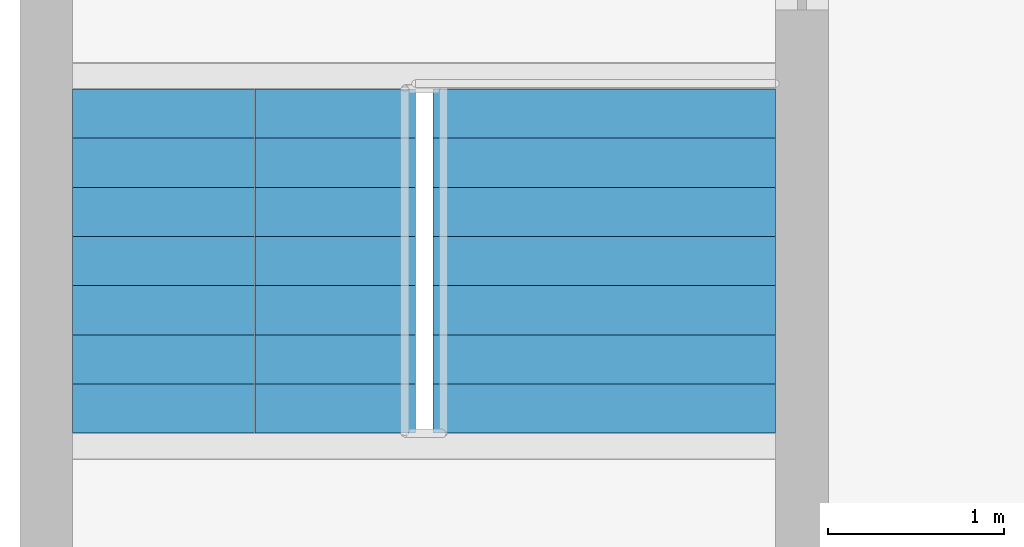
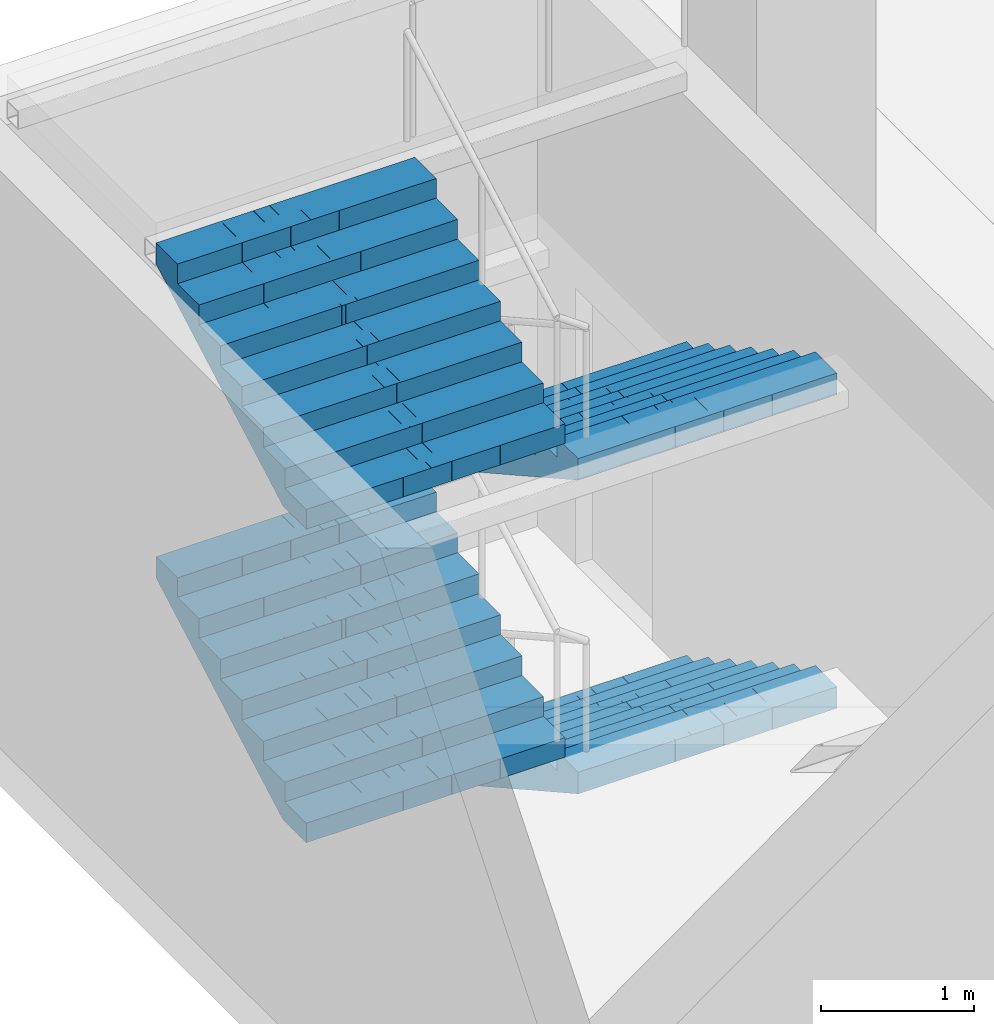
# One storey, part 14 of 20: 4 stair flights, 1 element without a shape of its own.
"""IFC4 building model written with IfcOpenShell, lengths in metres."""

from ifc_helpers import new_model, si_unit, direction, frame, origin, place, context, subcontext, project, spatial, polyline, outline, extrude, material, type_object, element, aggregate, save


model = new_model("IFC4")

# Units and contexts
model_context = context("Model", 3, precision=1e-05, world=origin(), true_north=direction((0.0, 1.0)))
body_context = subcontext(model_context, "Body", "Model", "MODEL_VIEW")
ifc_project = project(units=[si_unit("LENGTHUNIT", "METRE"), si_unit("AREAUNIT", "SQUARE_METRE"), si_unit("VOLUMEUNIT", "CUBIC_METRE"), si_unit("PLANEANGLEUNIT", "RADIAN"), si_unit("MASSUNIT", "GRAM", prefix="KILO")], contexts=[model_context])

# Site, building, storey
site_placement = place(None, origin())
site = spatial("IfcSite", under=ifc_project, at=site_placement, CompositionType="ELEMENT")
building_placement = place(site_placement, origin())
building = spatial("IfcBuilding", under=site, at=building_placement, Name="Mizan Broadcast Tower", CompositionType="ELEMENT")
storey_placement = place(building_placement, frame((0.0, 0.0, -5.0)))
storey = spatial("IfcBuildingStorey", under=building, at=storey_placement, Name="B1", CompositionType="ELEMENT", Elevation=-5.0)

# Stair, stair flights
ifc_material_1 = material(Name="Concrete C40/50", Category="concrete")
stair_type = type_object("IfcStairType", Name="EXIT STAIR", PredefinedType="HALF_TURN_STAIR", material=ifc_material_1)
stair_placement = place(storey_placement, origin())
stair = element("IfcStair", 1, at=stair_placement, inside=storey, type_object=stair_type, Name="Stair F B1", PredefinedType="HALF_TURN_STAIR")
ifc_material_2 = material(Name="Concrete C40/50", Category="concrete")
stair_flight_type = type_object("IfcStairFlightType", Name="EXIT STAIR FLIGHT", PredefinedType="STRAIGHT", material=ifc_material_2)
stair_flight_1_placement = place(storey_placement, frame((-44.875, 39.949951171875, 0.0), z_axis=(0.0, 0.0, 1.0), x_axis=(0.0, -1.0, 0.0)))
stair_flight_1 = element("IfcStairFlight", 2, at=stair_flight_1_placement, type_object=stair_flight_type, Name="F flight 1", NumberOfRisers=8, NumberOfTreads=7, PredefinedType="STRAIGHT", RiserHeight=0.15625, TreadLength=0.28, context=body_context, shape_type="SweptSolid", body=[
    extrude(outline(polyline([(0.0, 0.0), (0.0, 0.15625), (0.280029296875, 0.15625), (0.280029296875, 0.3125), (0.56005859375, 0.3125), (0.56005859375, 0.46875), (0.840087890625, 0.46875), (0.840087890625, 0.625), (1.1201171875, 0.625), (1.1201171875, 0.78125), (1.39990234375, 0.78125), (1.39990234375, 0.9375), (1.679931640625, 0.9375), (1.679931640625, 1.09375), (1.9599609375, 1.09375), (1.9599609375, 1.25), (1.9599609375, 0.922119140625), (0.3076171875, 0.0), (0.0, 0.0)])), frame((0.0, 0.97509765625, 0.0), z_axis=(0.0, -1.0, 0.0), x_axis=(1.0, 0.0, 0.0)), (0.0, 0.0, 1.0), 0.4873046875),
    extrude(outline(polyline([(0.0, 0.0), (0.0, 0.15625), (0.280029296875, 0.15625), (0.280029296875, 0.3125), (0.56005859375, 0.3125), (0.56005859375, 0.46875), (0.840087890625, 0.46875), (0.840087890625, 0.625), (1.1201171875, 0.625), (1.1201171875, 0.78125), (1.39990234375, 0.78125), (1.39990234375, 0.9375), (1.679931640625, 0.9375), (1.679931640625, 1.09375), (1.9599609375, 1.09375), (1.9599609375, 1.25), (1.9599609375, 0.922119140625), (0.3076171875, 0.0), (0.0, 0.0)])), frame((0.0, 0.4873046875, 0.0), z_axis=(0.0, -1.0, 0.0), x_axis=(1.0, 0.0, 0.0)), (0.0, 0.0, 1.0), 0.2431640625),
    extrude(outline(polyline([(0.0, 0.0), (0.0, 0.15625), (0.280029296875, 0.15625), (0.280029296875, 0.3125), (0.56005859375, 0.3125), (0.56005859375, 0.46875), (0.840087890625, 0.46875), (0.840087890625, 0.625), (1.1201171875, 0.625), (1.1201171875, 0.78125), (1.39990234375, 0.78125), (1.39990234375, 0.9375), (1.679931640625, 0.9375), (1.679931640625, 1.09375), (1.9599609375, 1.09375), (1.9599609375, 1.25), (1.9599609375, 0.922119140625), (0.3076171875, 0.0), (0.0, 0.0)])), frame((0.0, 0.24365234375, 0.0), z_axis=(0.0, -1.0, 0.0), x_axis=(1.0, 0.0, 0.0)), (0.0, 0.0, 1.0), 0.121337890625),
    extrude(outline(polyline([(0.0, 0.0), (0.0, 0.15625), (0.280029296875, 0.15625), (0.280029296875, 0.3125), (0.56005859375, 0.3125), (0.56005859375, 0.46875), (0.840087890625, 0.46875), (0.840087890625, 0.625), (1.1201171875, 0.625), (1.1201171875, 0.78125), (1.39990234375, 0.78125), (1.39990234375, 0.9375), (1.679931640625, 0.9375), (1.679931640625, 1.09375), (1.9599609375, 1.09375), (1.9599609375, 1.25), (1.9599609375, 0.922119140625), (0.3076171875, 0.0), (0.0, 0.0)])), frame((0.0, 0.121826171875, 0.0), z_axis=(0.0, -1.0, 0.0), x_axis=(1.0, 0.0, 0.0)), (0.0, 0.0, 1.0), 0.060546875),
    extrude(outline(polyline([(0.0, 0.0), (0.0, 0.15625), (0.280029296875, 0.15625), (0.280029296875, 0.3125), (0.56005859375, 0.3125), (0.56005859375, 0.46875), (0.840087890625, 0.46875), (0.840087890625, 0.625), (1.1201171875, 0.625), (1.1201171875, 0.78125), (1.39990234375, 0.78125), (1.39990234375, 0.9375), (1.679931640625, 0.9375), (1.679931640625, 1.09375), (1.9599609375, 1.09375), (1.9599609375, 1.25), (1.9599609375, 0.922119140625), (0.3076171875, 0.0), (0.0, 0.0)])), frame((0.0, 0.060791015625, 0.0), z_axis=(0.0, -1.0, 0.0), x_axis=(1.0, 0.0, 0.0)), (0.0, 0.0, 1.0), 0.030029296875),
    extrude(outline(polyline([(0.0, 0.0), (0.0, 0.15625), (0.280029296875, 0.15625), (0.280029296875, 0.3125), (0.56005859375, 0.3125), (0.56005859375, 0.46875), (0.840087890625, 0.46875), (0.840087890625, 0.625), (1.1201171875, 0.625), (1.1201171875, 0.78125), (1.39990234375, 0.78125), (1.39990234375, 0.9375), (1.679931640625, 0.9375), (1.679931640625, 1.09375), (1.9599609375, 1.09375), (1.9599609375, 1.25), (1.9599609375, 0.922119140625), (0.3076171875, 0.0), (0.0, 0.0)])), frame((0.0, 0.0302734375, 0.0), z_axis=(0.0, -1.0, 0.0), x_axis=(1.0, 0.0, 0.0)), (0.0, 0.0, 1.0), 0.060302734375),
    extrude(outline(polyline([(0.0, 0.0), (0.0, 0.15625), (0.280029296875, 0.15625), (0.280029296875, 0.3125), (0.56005859375, 0.3125), (0.56005859375, 0.46875), (0.840087890625, 0.46875), (0.840087890625, 0.625), (1.1201171875, 0.625), (1.1201171875, 0.78125), (1.39990234375, 0.78125), (1.39990234375, 0.9375), (1.679931640625, 0.9375), (1.679931640625, 1.09375), (1.9599609375, 1.09375), (1.9599609375, 1.25), (1.9599609375, 0.922119140625), (0.3076171875, 0.0), (0.0, 0.0)])), frame((0.0, -0.030517578125, 0.0), z_axis=(0.0, -1.0, 0.0), x_axis=(1.0, 0.0, 0.0)), (0.0, 0.0, 1.0), 0.030029296875),
    extrude(outline(polyline([(0.0, 0.0), (0.0, 0.15625), (0.280029296875, 0.15625), (0.280029296875, 0.3125), (0.56005859375, 0.3125), (0.56005859375, 0.46875), (0.840087890625, 0.46875), (0.840087890625, 0.625), (1.1201171875, 0.625), (1.1201171875, 0.78125), (1.39990234375, 0.78125), (1.39990234375, 0.9375), (1.679931640625, 0.9375), (1.679931640625, 1.09375), (1.9599609375, 1.09375), (1.9599609375, 1.25), (1.9599609375, 0.922119140625), (0.3076171875, 0.0), (0.0, 0.0)])), frame((0.0, -0.06103515625, 0.0), z_axis=(0.0, -1.0, 0.0), x_axis=(1.0, 0.0, 0.0)), (0.0, 0.0, 1.0), 0.060546875),
    extrude(outline(polyline([(0.0, 0.0), (0.0, 0.15625), (0.280029296875, 0.15625), (0.280029296875, 0.3125), (0.56005859375, 0.3125), (0.56005859375, 0.46875), (0.840087890625, 0.46875), (0.840087890625, 0.625), (1.1201171875, 0.625), (1.1201171875, 0.78125), (1.39990234375, 0.78125), (1.39990234375, 0.9375), (1.679931640625, 0.9375), (1.679931640625, 1.09375), (1.9599609375, 1.09375), (1.9599609375, 1.25), (1.9599609375, 0.922119140625), (0.3076171875, 0.0), (0.0, 0.0)])), frame((0.0, -0.1220703125, 0.0), z_axis=(0.0, -1.0, 0.0), x_axis=(1.0, 0.0, 0.0)), (0.0, 0.0, 1.0), 0.121337890625),
    extrude(outline(polyline([(0.0, 0.0), (0.0, 0.15625), (0.280029296875, 0.15625), (0.280029296875, 0.3125), (0.56005859375, 0.3125), (0.56005859375, 0.46875), (0.840087890625, 0.46875), (0.840087890625, 0.625), (1.1201171875, 0.625), (1.1201171875, 0.78125), (1.39990234375, 0.78125), (1.39990234375, 0.9375), (1.679931640625, 0.9375), (1.679931640625, 1.09375), (1.9599609375, 1.09375), (1.9599609375, 1.25), (1.9599609375, 0.922119140625), (0.3076171875, 0.0), (0.0, 0.0)])), frame((0.0, -0.243896484375, 0.0), z_axis=(0.0, -1.0, 0.0), x_axis=(1.0, 0.0, 0.0)), (0.0, 0.0, 1.0), 0.2431640625),
    extrude(outline(polyline([(0.0, 0.0), (0.0, 0.15625), (0.280029296875, 0.15625), (0.280029296875, 0.3125), (0.56005859375, 0.3125), (0.56005859375, 0.46875), (0.840087890625, 0.46875), (0.840087890625, 0.625), (1.1201171875, 0.625), (1.1201171875, 0.78125), (1.39990234375, 0.78125), (1.39990234375, 0.9375), (1.679931640625, 0.9375), (1.679931640625, 1.09375), (1.9599609375, 1.09375), (1.9599609375, 1.25), (1.9599609375, 0.922119140625), (0.3076171875, 0.0), (0.0, 0.0)])), frame((0.0, -0.487548828125, 0.0), z_axis=(0.0, -1.0, 0.0), x_axis=(1.0, 0.0, 0.0)), (0.0, 0.0, 1.0), 0.4873046875),
])
stair_flight_2_placement = place(storey_placement, frame((-46.925048828125, 37.989990234375, 1.25), z_axis=(0.0, 0.0, 1.0), x_axis=(0.0, 1.0, 0.0)))
stair_flight_2 = element("IfcStairFlight", 3, at=stair_flight_2_placement, type_object=stair_flight_type, Name="F flight 2", NumberOfRisers=8, NumberOfTreads=7, PredefinedType="STRAIGHT", RiserHeight=0.15625, TreadLength=0.28, context=body_context, shape_type="SweptSolid", body=[
    extrude(outline(polyline([(0.0, 0.0), (0.0, 0.15625), (0.280029296875, 0.15625), (0.280029296875, 0.3125), (0.56005859375, 0.3125), (0.56005859375, 0.46875), (0.840087890625, 0.46875), (0.840087890625, 0.625), (1.1201171875, 0.625), (1.1201171875, 0.78125), (1.39990234375, 0.78125), (1.39990234375, 0.9375), (1.679931640625, 0.9375), (1.679931640625, 1.09375), (1.9599609375, 1.09375), (1.9599609375, 1.25), (1.9599609375, 0.922119140625), (0.3076171875, 0.0), (0.0, 0.0)])), frame((0.0, 0.97509765625, 0.0), z_axis=(0.0, -1.0, 0.0), x_axis=(1.0, 0.0, 0.0)), (0.0, 0.0, 1.0), 0.4873046875),
    extrude(outline(polyline([(0.0, 0.0), (0.0, 0.15625), (0.280029296875, 0.15625), (0.280029296875, 0.3125), (0.56005859375, 0.3125), (0.56005859375, 0.46875), (0.840087890625, 0.46875), (0.840087890625, 0.625), (1.1201171875, 0.625), (1.1201171875, 0.78125), (1.39990234375, 0.78125), (1.39990234375, 0.9375), (1.679931640625, 0.9375), (1.679931640625, 1.09375), (1.9599609375, 1.09375), (1.9599609375, 1.25), (1.9599609375, 0.922119140625), (0.3076171875, 0.0), (0.0, 0.0)])), frame((0.0, 0.4873046875, 0.0), z_axis=(0.0, -1.0, 0.0), x_axis=(1.0, 0.0, 0.0)), (0.0, 0.0, 1.0), 0.2431640625),
    extrude(outline(polyline([(0.0, 0.0), (0.0, 0.15625), (0.280029296875, 0.15625), (0.280029296875, 0.3125), (0.56005859375, 0.3125), (0.56005859375, 0.46875), (0.840087890625, 0.46875), (0.840087890625, 0.625), (1.1201171875, 0.625), (1.1201171875, 0.78125), (1.39990234375, 0.78125), (1.39990234375, 0.9375), (1.679931640625, 0.9375), (1.679931640625, 1.09375), (1.9599609375, 1.09375), (1.9599609375, 1.25), (1.9599609375, 0.922119140625), (0.3076171875, 0.0), (0.0, 0.0)])), frame((0.0, 0.24365234375, 0.0), z_axis=(0.0, -1.0, 0.0), x_axis=(1.0, 0.0, 0.0)), (0.0, 0.0, 1.0), 0.121337890625),
    extrude(outline(polyline([(0.0, 0.0), (0.0, 0.15625), (0.280029296875, 0.15625), (0.280029296875, 0.3125), (0.56005859375, 0.3125), (0.56005859375, 0.46875), (0.840087890625, 0.46875), (0.840087890625, 0.625), (1.1201171875, 0.625), (1.1201171875, 0.78125), (1.39990234375, 0.78125), (1.39990234375, 0.9375), (1.679931640625, 0.9375), (1.679931640625, 1.09375), (1.9599609375, 1.09375), (1.9599609375, 1.25), (1.9599609375, 0.922119140625), (0.3076171875, 0.0), (0.0, 0.0)])), frame((0.0, 0.121826171875, 0.0), z_axis=(0.0, -1.0, 0.0), x_axis=(1.0, 0.0, 0.0)), (0.0, 0.0, 1.0), 0.060546875),
    extrude(outline(polyline([(0.0, 0.0), (0.0, 0.15625), (0.280029296875, 0.15625), (0.280029296875, 0.3125), (0.56005859375, 0.3125), (0.56005859375, 0.46875), (0.840087890625, 0.46875), (0.840087890625, 0.625), (1.1201171875, 0.625), (1.1201171875, 0.78125), (1.39990234375, 0.78125), (1.39990234375, 0.9375), (1.679931640625, 0.9375), (1.679931640625, 1.09375), (1.9599609375, 1.09375), (1.9599609375, 1.25), (1.9599609375, 0.922119140625), (0.3076171875, 0.0), (0.0, 0.0)])), frame((0.0, 0.060791015625, 0.0), z_axis=(0.0, -1.0, 0.0), x_axis=(1.0, 0.0, 0.0)), (0.0, 0.0, 1.0), 0.030029296875),
    extrude(outline(polyline([(0.0, 0.0), (0.0, 0.15625), (0.280029296875, 0.15625), (0.280029296875, 0.3125), (0.56005859375, 0.3125), (0.56005859375, 0.46875), (0.840087890625, 0.46875), (0.840087890625, 0.625), (1.1201171875, 0.625), (1.1201171875, 0.78125), (1.39990234375, 0.78125), (1.39990234375, 0.9375), (1.679931640625, 0.9375), (1.679931640625, 1.09375), (1.9599609375, 1.09375), (1.9599609375, 1.25), (1.9599609375, 0.922119140625), (0.3076171875, 0.0), (0.0, 0.0)])), frame((0.0, 0.0302734375, 0.0), z_axis=(0.0, -1.0, 0.0), x_axis=(1.0, 0.0, 0.0)), (0.0, 0.0, 1.0), 0.060302734375),
    extrude(outline(polyline([(0.0, 0.0), (0.0, 0.15625), (0.280029296875, 0.15625), (0.280029296875, 0.3125), (0.56005859375, 0.3125), (0.56005859375, 0.46875), (0.840087890625, 0.46875), (0.840087890625, 0.625), (1.1201171875, 0.625), (1.1201171875, 0.78125), (1.39990234375, 0.78125), (1.39990234375, 0.9375), (1.679931640625, 0.9375), (1.679931640625, 1.09375), (1.9599609375, 1.09375), (1.9599609375, 1.25), (1.9599609375, 0.922119140625), (0.3076171875, 0.0), (0.0, 0.0)])), frame((0.0, -0.030517578125, 0.0), z_axis=(0.0, -1.0, 0.0), x_axis=(1.0, 0.0, 0.0)), (0.0, 0.0, 1.0), 0.030029296875),
    extrude(outline(polyline([(0.0, 0.0), (0.0, 0.15625), (0.280029296875, 0.15625), (0.280029296875, 0.3125), (0.56005859375, 0.3125), (0.56005859375, 0.46875), (0.840087890625, 0.46875), (0.840087890625, 0.625), (1.1201171875, 0.625), (1.1201171875, 0.78125), (1.39990234375, 0.78125), (1.39990234375, 0.9375), (1.679931640625, 0.9375), (1.679931640625, 1.09375), (1.9599609375, 1.09375), (1.9599609375, 1.25), (1.9599609375, 0.922119140625), (0.3076171875, 0.0), (0.0, 0.0)])), frame((0.0, -0.06103515625, 0.0), z_axis=(0.0, -1.0, 0.0), x_axis=(1.0, 0.0, 0.0)), (0.0, 0.0, 1.0), 0.060546875),
    extrude(outline(polyline([(0.0, 0.0), (0.0, 0.15625), (0.280029296875, 0.15625), (0.280029296875, 0.3125), (0.56005859375, 0.3125), (0.56005859375, 0.46875), (0.840087890625, 0.46875), (0.840087890625, 0.625), (1.1201171875, 0.625), (1.1201171875, 0.78125), (1.39990234375, 0.78125), (1.39990234375, 0.9375), (1.679931640625, 0.9375), (1.679931640625, 1.09375), (1.9599609375, 1.09375), (1.9599609375, 1.25), (1.9599609375, 0.922119140625), (0.3076171875, 0.0), (0.0, 0.0)])), frame((0.0, -0.1220703125, 0.0), z_axis=(0.0, -1.0, 0.0), x_axis=(1.0, 0.0, 0.0)), (0.0, 0.0, 1.0), 0.121337890625),
    extrude(outline(polyline([(0.0, 0.0), (0.0, 0.15625), (0.280029296875, 0.15625), (0.280029296875, 0.3125), (0.56005859375, 0.3125), (0.56005859375, 0.46875), (0.840087890625, 0.46875), (0.840087890625, 0.625), (1.1201171875, 0.625), (1.1201171875, 0.78125), (1.39990234375, 0.78125), (1.39990234375, 0.9375), (1.679931640625, 0.9375), (1.679931640625, 1.09375), (1.9599609375, 1.09375), (1.9599609375, 1.25), (1.9599609375, 0.922119140625), (0.3076171875, 0.0), (0.0, 0.0)])), frame((0.0, -0.243896484375, 0.0), z_axis=(0.0, -1.0, 0.0), x_axis=(1.0, 0.0, 0.0)), (0.0, 0.0, 1.0), 0.2431640625),
    extrude(outline(polyline([(0.0, 0.0), (0.0, 0.15625), (0.280029296875, 0.15625), (0.280029296875, 0.3125), (0.56005859375, 0.3125), (0.56005859375, 0.46875), (0.840087890625, 0.46875), (0.840087890625, 0.625), (1.1201171875, 0.625), (1.1201171875, 0.78125), (1.39990234375, 0.78125), (1.39990234375, 0.9375), (1.679931640625, 0.9375), (1.679931640625, 1.09375), (1.9599609375, 1.09375), (1.9599609375, 1.25), (1.9599609375, 0.922119140625), (0.3076171875, 0.0), (0.0, 0.0)])), frame((0.0, -0.487548828125, 0.0), z_axis=(0.0, -1.0, 0.0), x_axis=(1.0, 0.0, 0.0)), (0.0, 0.0, 1.0), 0.4873046875),
])
stair_flight_3_placement = place(storey_placement, frame((-44.875, 39.949951171875, 2.5), z_axis=(0.0, 0.0, 1.0), x_axis=(0.0, -1.0, 0.0)))
stair_flight_3 = element("IfcStairFlight", 4, at=stair_flight_3_placement, type_object=stair_flight_type, Name="F flight 3", NumberOfRisers=8, NumberOfTreads=7, PredefinedType="STRAIGHT", RiserHeight=0.15625, TreadLength=0.28, context=body_context, shape_type="SweptSolid", body=[
    extrude(outline(polyline([(0.0, 0.0), (0.0, 0.15625), (0.280029296875, 0.15625), (0.280029296875, 0.3125), (0.56005859375, 0.3125), (0.56005859375, 0.46875), (0.840087890625, 0.46875), (0.840087890625, 0.625), (1.1201171875, 0.625), (1.1201171875, 0.78125), (1.39990234375, 0.78125), (1.39990234375, 0.9375), (1.679931640625, 0.9375), (1.679931640625, 1.09375), (1.9599609375, 1.09375), (1.9599609375, 1.25), (1.9599609375, 0.922119140625), (0.3076171875, 0.0), (0.0, 0.0)])), frame((0.0, 0.97509765625, 0.0), z_axis=(0.0, -1.0, 0.0), x_axis=(1.0, 0.0, 0.0)), (0.0, 0.0, 1.0), 0.4873046875),
    extrude(outline(polyline([(0.0, 0.0), (0.0, 0.15625), (0.280029296875, 0.15625), (0.280029296875, 0.3125), (0.56005859375, 0.3125), (0.56005859375, 0.46875), (0.840087890625, 0.46875), (0.840087890625, 0.625), (1.1201171875, 0.625), (1.1201171875, 0.78125), (1.39990234375, 0.78125), (1.39990234375, 0.9375), (1.679931640625, 0.9375), (1.679931640625, 1.09375), (1.9599609375, 1.09375), (1.9599609375, 1.25), (1.9599609375, 0.922119140625), (0.3076171875, 0.0), (0.0, 0.0)])), frame((0.0, 0.4873046875, 0.0), z_axis=(0.0, -1.0, 0.0), x_axis=(1.0, 0.0, 0.0)), (0.0, 0.0, 1.0), 0.2431640625),
    extrude(outline(polyline([(0.0, 0.0), (0.0, 0.15625), (0.280029296875, 0.15625), (0.280029296875, 0.3125), (0.56005859375, 0.3125), (0.56005859375, 0.46875), (0.840087890625, 0.46875), (0.840087890625, 0.625), (1.1201171875, 0.625), (1.1201171875, 0.78125), (1.39990234375, 0.78125), (1.39990234375, 0.9375), (1.679931640625, 0.9375), (1.679931640625, 1.09375), (1.9599609375, 1.09375), (1.9599609375, 1.25), (1.9599609375, 0.922119140625), (0.3076171875, 0.0), (0.0, 0.0)])), frame((0.0, 0.24365234375, 0.0), z_axis=(0.0, -1.0, 0.0), x_axis=(1.0, 0.0, 0.0)), (0.0, 0.0, 1.0), 0.121337890625),
    extrude(outline(polyline([(0.0, 0.0), (0.0, 0.15625), (0.280029296875, 0.15625), (0.280029296875, 0.3125), (0.56005859375, 0.3125), (0.56005859375, 0.46875), (0.840087890625, 0.46875), (0.840087890625, 0.625), (1.1201171875, 0.625), (1.1201171875, 0.78125), (1.39990234375, 0.78125), (1.39990234375, 0.9375), (1.679931640625, 0.9375), (1.679931640625, 1.09375), (1.9599609375, 1.09375), (1.9599609375, 1.25), (1.9599609375, 0.922119140625), (0.3076171875, 0.0), (0.0, 0.0)])), frame((0.0, 0.121826171875, 0.0), z_axis=(0.0, -1.0, 0.0), x_axis=(1.0, 0.0, 0.0)), (0.0, 0.0, 1.0), 0.060546875),
    extrude(outline(polyline([(0.0, 0.0), (0.0, 0.15625), (0.280029296875, 0.15625), (0.280029296875, 0.3125), (0.56005859375, 0.3125), (0.56005859375, 0.46875), (0.840087890625, 0.46875), (0.840087890625, 0.625), (1.1201171875, 0.625), (1.1201171875, 0.78125), (1.39990234375, 0.78125), (1.39990234375, 0.9375), (1.679931640625, 0.9375), (1.679931640625, 1.09375), (1.9599609375, 1.09375), (1.9599609375, 1.25), (1.9599609375, 0.922119140625), (0.3076171875, 0.0), (0.0, 0.0)])), frame((0.0, 0.060791015625, 0.0), z_axis=(0.0, -1.0, 0.0), x_axis=(1.0, 0.0, 0.0)), (0.0, 0.0, 1.0), 0.030029296875),
    extrude(outline(polyline([(0.0, 0.0), (0.0, 0.15625), (0.280029296875, 0.15625), (0.280029296875, 0.3125), (0.56005859375, 0.3125), (0.56005859375, 0.46875), (0.840087890625, 0.46875), (0.840087890625, 0.625), (1.1201171875, 0.625), (1.1201171875, 0.78125), (1.39990234375, 0.78125), (1.39990234375, 0.9375), (1.679931640625, 0.9375), (1.679931640625, 1.09375), (1.9599609375, 1.09375), (1.9599609375, 1.25), (1.9599609375, 0.922119140625), (0.3076171875, 0.0), (0.0, 0.0)])), frame((0.0, 0.0302734375, 0.0), z_axis=(0.0, -1.0, 0.0), x_axis=(1.0, 0.0, 0.0)), (0.0, 0.0, 1.0), 0.060302734375),
    extrude(outline(polyline([(0.0, 0.0), (0.0, 0.15625), (0.280029296875, 0.15625), (0.280029296875, 0.3125), (0.56005859375, 0.3125), (0.56005859375, 0.46875), (0.840087890625, 0.46875), (0.840087890625, 0.625), (1.1201171875, 0.625), (1.1201171875, 0.78125), (1.39990234375, 0.78125), (1.39990234375, 0.9375), (1.679931640625, 0.9375), (1.679931640625, 1.09375), (1.9599609375, 1.09375), (1.9599609375, 1.25), (1.9599609375, 0.922119140625), (0.3076171875, 0.0), (0.0, 0.0)])), frame((0.0, -0.030517578125, 0.0), z_axis=(0.0, -1.0, 0.0), x_axis=(1.0, 0.0, 0.0)), (0.0, 0.0, 1.0), 0.030029296875),
    extrude(outline(polyline([(0.0, 0.0), (0.0, 0.15625), (0.280029296875, 0.15625), (0.280029296875, 0.3125), (0.56005859375, 0.3125), (0.56005859375, 0.46875), (0.840087890625, 0.46875), (0.840087890625, 0.625), (1.1201171875, 0.625), (1.1201171875, 0.78125), (1.39990234375, 0.78125), (1.39990234375, 0.9375), (1.679931640625, 0.9375), (1.679931640625, 1.09375), (1.9599609375, 1.09375), (1.9599609375, 1.25), (1.9599609375, 0.922119140625), (0.3076171875, 0.0), (0.0, 0.0)])), frame((0.0, -0.06103515625, 0.0), z_axis=(0.0, -1.0, 0.0), x_axis=(1.0, 0.0, 0.0)), (0.0, 0.0, 1.0), 0.060546875),
    extrude(outline(polyline([(0.0, 0.0), (0.0, 0.15625), (0.280029296875, 0.15625), (0.280029296875, 0.3125), (0.56005859375, 0.3125), (0.56005859375, 0.46875), (0.840087890625, 0.46875), (0.840087890625, 0.625), (1.1201171875, 0.625), (1.1201171875, 0.78125), (1.39990234375, 0.78125), (1.39990234375, 0.9375), (1.679931640625, 0.9375), (1.679931640625, 1.09375), (1.9599609375, 1.09375), (1.9599609375, 1.25), (1.9599609375, 0.922119140625), (0.3076171875, 0.0), (0.0, 0.0)])), frame((0.0, -0.1220703125, 0.0), z_axis=(0.0, -1.0, 0.0), x_axis=(1.0, 0.0, 0.0)), (0.0, 0.0, 1.0), 0.121337890625),
    extrude(outline(polyline([(0.0, 0.0), (0.0, 0.15625), (0.280029296875, 0.15625), (0.280029296875, 0.3125), (0.56005859375, 0.3125), (0.56005859375, 0.46875), (0.840087890625, 0.46875), (0.840087890625, 0.625), (1.1201171875, 0.625), (1.1201171875, 0.78125), (1.39990234375, 0.78125), (1.39990234375, 0.9375), (1.679931640625, 0.9375), (1.679931640625, 1.09375), (1.9599609375, 1.09375), (1.9599609375, 1.25), (1.9599609375, 0.922119140625), (0.3076171875, 0.0), (0.0, 0.0)])), frame((0.0, -0.243896484375, 0.0), z_axis=(0.0, -1.0, 0.0), x_axis=(1.0, 0.0, 0.0)), (0.0, 0.0, 1.0), 0.2431640625),
    extrude(outline(polyline([(0.0, 0.0), (0.0, 0.15625), (0.280029296875, 0.15625), (0.280029296875, 0.3125), (0.56005859375, 0.3125), (0.56005859375, 0.46875), (0.840087890625, 0.46875), (0.840087890625, 0.625), (1.1201171875, 0.625), (1.1201171875, 0.78125), (1.39990234375, 0.78125), (1.39990234375, 0.9375), (1.679931640625, 0.9375), (1.679931640625, 1.09375), (1.9599609375, 1.09375), (1.9599609375, 1.25), (1.9599609375, 0.922119140625), (0.3076171875, 0.0), (0.0, 0.0)])), frame((0.0, -0.487548828125, 0.0), z_axis=(0.0, -1.0, 0.0), x_axis=(1.0, 0.0, 0.0)), (0.0, 0.0, 1.0), 0.4873046875),
])
stair_flight_4_placement = place(storey_placement, frame((-46.925048828125, 37.989990234375, 3.75), z_axis=(0.0, 0.0, 1.0), x_axis=(0.0, 1.0, 0.0)))
stair_flight_4 = element("IfcStairFlight", 5, at=stair_flight_4_placement, type_object=stair_flight_type, Name="F flight 4", NumberOfRisers=8, NumberOfTreads=7, PredefinedType="STRAIGHT", RiserHeight=0.15625, TreadLength=0.28, context=body_context, shape_type="SweptSolid", body=[
    extrude(outline(polyline([(0.0, 0.0), (0.0, 0.15625), (0.280029296875, 0.15625), (0.280029296875, 0.3125), (0.56005859375, 0.3125), (0.56005859375, 0.46875), (0.840087890625, 0.46875), (0.840087890625, 0.625), (1.1201171875, 0.625), (1.1201171875, 0.78125), (1.39990234375, 0.78125), (1.39990234375, 0.9375), (1.679931640625, 0.9375), (1.679931640625, 1.09375), (1.9599609375, 1.09375), (1.9599609375, 1.25), (1.9599609375, 0.922119140625), (0.3076171875, 0.0), (0.0, 0.0)])), frame((0.0, 0.97509765625, 0.0), z_axis=(0.0, -1.0, 0.0), x_axis=(1.0, 0.0, 0.0)), (0.0, 0.0, 1.0), 0.4873046875),
    extrude(outline(polyline([(0.0, 0.0), (0.0, 0.15625), (0.280029296875, 0.15625), (0.280029296875, 0.3125), (0.56005859375, 0.3125), (0.56005859375, 0.46875), (0.840087890625, 0.46875), (0.840087890625, 0.625), (1.1201171875, 0.625), (1.1201171875, 0.78125), (1.39990234375, 0.78125), (1.39990234375, 0.9375), (1.679931640625, 0.9375), (1.679931640625, 1.09375), (1.9599609375, 1.09375), (1.9599609375, 1.25), (1.9599609375, 0.922119140625), (0.3076171875, 0.0), (0.0, 0.0)])), frame((0.0, 0.4873046875, 0.0), z_axis=(0.0, -1.0, 0.0), x_axis=(1.0, 0.0, 0.0)), (0.0, 0.0, 1.0), 0.2431640625),
    extrude(outline(polyline([(0.0, 0.0), (0.0, 0.15625), (0.280029296875, 0.15625), (0.280029296875, 0.3125), (0.56005859375, 0.3125), (0.56005859375, 0.46875), (0.840087890625, 0.46875), (0.840087890625, 0.625), (1.1201171875, 0.625), (1.1201171875, 0.78125), (1.39990234375, 0.78125), (1.39990234375, 0.9375), (1.679931640625, 0.9375), (1.679931640625, 1.09375), (1.9599609375, 1.09375), (1.9599609375, 1.25), (1.9599609375, 0.922119140625), (0.3076171875, 0.0), (0.0, 0.0)])), frame((0.0, 0.24365234375, 0.0), z_axis=(0.0, -1.0, 0.0), x_axis=(1.0, 0.0, 0.0)), (0.0, 0.0, 1.0), 0.121337890625),
    extrude(outline(polyline([(0.0, 0.0), (0.0, 0.15625), (0.280029296875, 0.15625), (0.280029296875, 0.3125), (0.56005859375, 0.3125), (0.56005859375, 0.46875), (0.840087890625, 0.46875), (0.840087890625, 0.625), (1.1201171875, 0.625), (1.1201171875, 0.78125), (1.39990234375, 0.78125), (1.39990234375, 0.9375), (1.679931640625, 0.9375), (1.679931640625, 1.09375), (1.9599609375, 1.09375), (1.9599609375, 1.25), (1.9599609375, 0.922119140625), (0.3076171875, 0.0), (0.0, 0.0)])), frame((0.0, 0.121826171875, 0.0), z_axis=(0.0, -1.0, 0.0), x_axis=(1.0, 0.0, 0.0)), (0.0, 0.0, 1.0), 0.060546875),
    extrude(outline(polyline([(0.0, 0.0), (0.0, 0.15625), (0.280029296875, 0.15625), (0.280029296875, 0.3125), (0.56005859375, 0.3125), (0.56005859375, 0.46875), (0.840087890625, 0.46875), (0.840087890625, 0.625), (1.1201171875, 0.625), (1.1201171875, 0.78125), (1.39990234375, 0.78125), (1.39990234375, 0.9375), (1.679931640625, 0.9375), (1.679931640625, 1.09375), (1.9599609375, 1.09375), (1.9599609375, 1.25), (1.9599609375, 0.922119140625), (0.3076171875, 0.0), (0.0, 0.0)])), frame((0.0, 0.060791015625, 0.0), z_axis=(0.0, -1.0, 0.0), x_axis=(1.0, 0.0, 0.0)), (0.0, 0.0, 1.0), 0.030029296875),
    extrude(outline(polyline([(0.0, 0.0), (0.0, 0.15625), (0.280029296875, 0.15625), (0.280029296875, 0.3125), (0.56005859375, 0.3125), (0.56005859375, 0.46875), (0.840087890625, 0.46875), (0.840087890625, 0.625), (1.1201171875, 0.625), (1.1201171875, 0.78125), (1.39990234375, 0.78125), (1.39990234375, 0.9375), (1.679931640625, 0.9375), (1.679931640625, 1.09375), (1.9599609375, 1.09375), (1.9599609375, 1.25), (1.9599609375, 0.922119140625), (0.3076171875, 0.0), (0.0, 0.0)])), frame((0.0, 0.0302734375, 0.0), z_axis=(0.0, -1.0, 0.0), x_axis=(1.0, 0.0, 0.0)), (0.0, 0.0, 1.0), 0.060302734375),
    extrude(outline(polyline([(0.0, 0.0), (0.0, 0.15625), (0.280029296875, 0.15625), (0.280029296875, 0.3125), (0.56005859375, 0.3125), (0.56005859375, 0.46875), (0.840087890625, 0.46875), (0.840087890625, 0.625), (1.1201171875, 0.625), (1.1201171875, 0.78125), (1.39990234375, 0.78125), (1.39990234375, 0.9375), (1.679931640625, 0.9375), (1.679931640625, 1.09375), (1.9599609375, 1.09375), (1.9599609375, 1.25), (1.9599609375, 0.922119140625), (0.3076171875, 0.0), (0.0, 0.0)])), frame((0.0, -0.030517578125, 0.0), z_axis=(0.0, -1.0, 0.0), x_axis=(1.0, 0.0, 0.0)), (0.0, 0.0, 1.0), 0.030029296875),
    extrude(outline(polyline([(0.0, 0.0), (0.0, 0.15625), (0.280029296875, 0.15625), (0.280029296875, 0.3125), (0.56005859375, 0.3125), (0.56005859375, 0.46875), (0.840087890625, 0.46875), (0.840087890625, 0.625), (1.1201171875, 0.625), (1.1201171875, 0.78125), (1.39990234375, 0.78125), (1.39990234375, 0.9375), (1.679931640625, 0.9375), (1.679931640625, 1.09375), (1.9599609375, 1.09375), (1.9599609375, 1.25), (1.9599609375, 0.922119140625), (0.3076171875, 0.0), (0.0, 0.0)])), frame((0.0, -0.06103515625, 0.0), z_axis=(0.0, -1.0, 0.0), x_axis=(1.0, 0.0, 0.0)), (0.0, 0.0, 1.0), 0.060546875),
    extrude(outline(polyline([(0.0, 0.0), (0.0, 0.15625), (0.280029296875, 0.15625), (0.280029296875, 0.3125), (0.56005859375, 0.3125), (0.56005859375, 0.46875), (0.840087890625, 0.46875), (0.840087890625, 0.625), (1.1201171875, 0.625), (1.1201171875, 0.78125), (1.39990234375, 0.78125), (1.39990234375, 0.9375), (1.679931640625, 0.9375), (1.679931640625, 1.09375), (1.9599609375, 1.09375), (1.9599609375, 1.25), (1.9599609375, 0.922119140625), (0.3076171875, 0.0), (0.0, 0.0)])), frame((0.0, -0.1220703125, 0.0), z_axis=(0.0, -1.0, 0.0), x_axis=(1.0, 0.0, 0.0)), (0.0, 0.0, 1.0), 0.121337890625),
    extrude(outline(polyline([(0.0, 0.0), (0.0, 0.15625), (0.280029296875, 0.15625), (0.280029296875, 0.3125), (0.56005859375, 0.3125), (0.56005859375, 0.46875), (0.840087890625, 0.46875), (0.840087890625, 0.625), (1.1201171875, 0.625), (1.1201171875, 0.78125), (1.39990234375, 0.78125), (1.39990234375, 0.9375), (1.679931640625, 0.9375), (1.679931640625, 1.09375), (1.9599609375, 1.09375), (1.9599609375, 1.25), (1.9599609375, 0.922119140625), (0.3076171875, 0.0), (0.0, 0.0)])), frame((0.0, -0.243896484375, 0.0), z_axis=(0.0, -1.0, 0.0), x_axis=(1.0, 0.0, 0.0)), (0.0, 0.0, 1.0), 0.2431640625),
    extrude(outline(polyline([(0.0, 0.0), (0.0, 0.15625), (0.280029296875, 0.15625), (0.280029296875, 0.3125), (0.56005859375, 0.3125), (0.56005859375, 0.46875), (0.840087890625, 0.46875), (0.840087890625, 0.625), (1.1201171875, 0.625), (1.1201171875, 0.78125), (1.39990234375, 0.78125), (1.39990234375, 0.9375), (1.679931640625, 0.9375), (1.679931640625, 1.09375), (1.9599609375, 1.09375), (1.9599609375, 1.25), (1.9599609375, 0.922119140625), (0.3076171875, 0.0), (0.0, 0.0)])), frame((0.0, -0.487548828125, 0.0), z_axis=(0.0, -1.0, 0.0), x_axis=(1.0, 0.0, 0.0)), (0.0, 0.0, 1.0), 0.4873046875),
])
aggregate(stair, [stair_flight_1, stair_flight_2, stair_flight_3, stair_flight_4])

save(model, "model.ifc")
